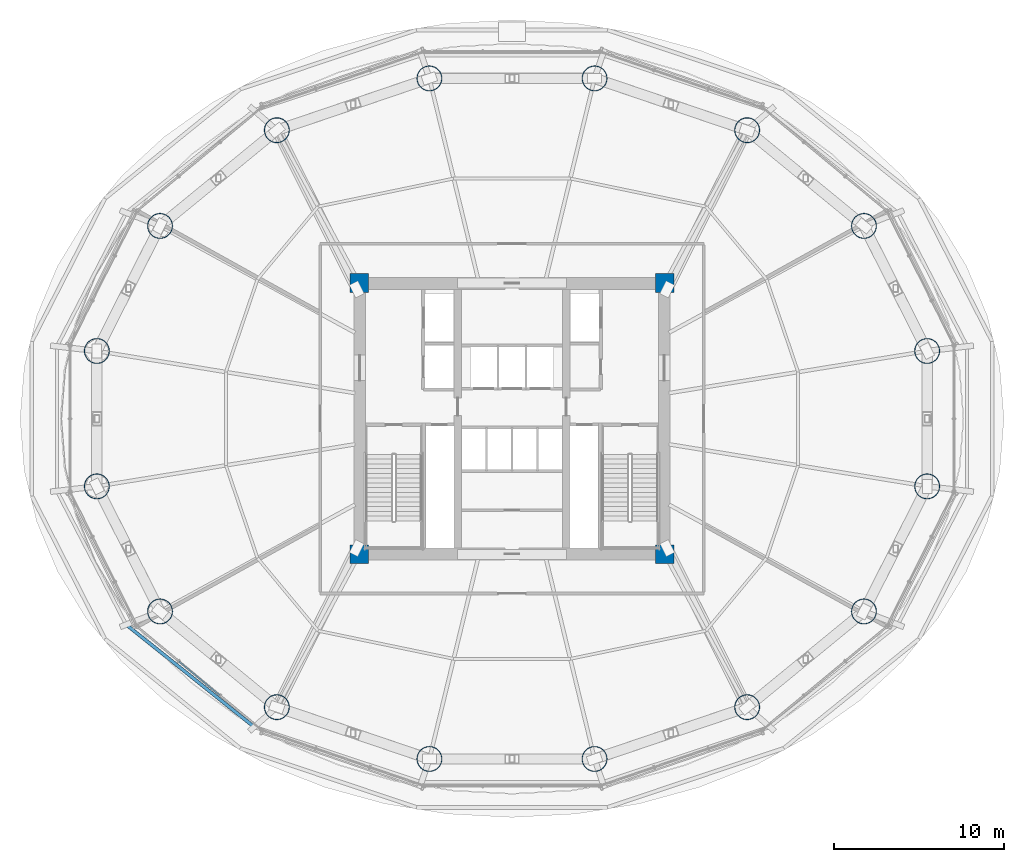
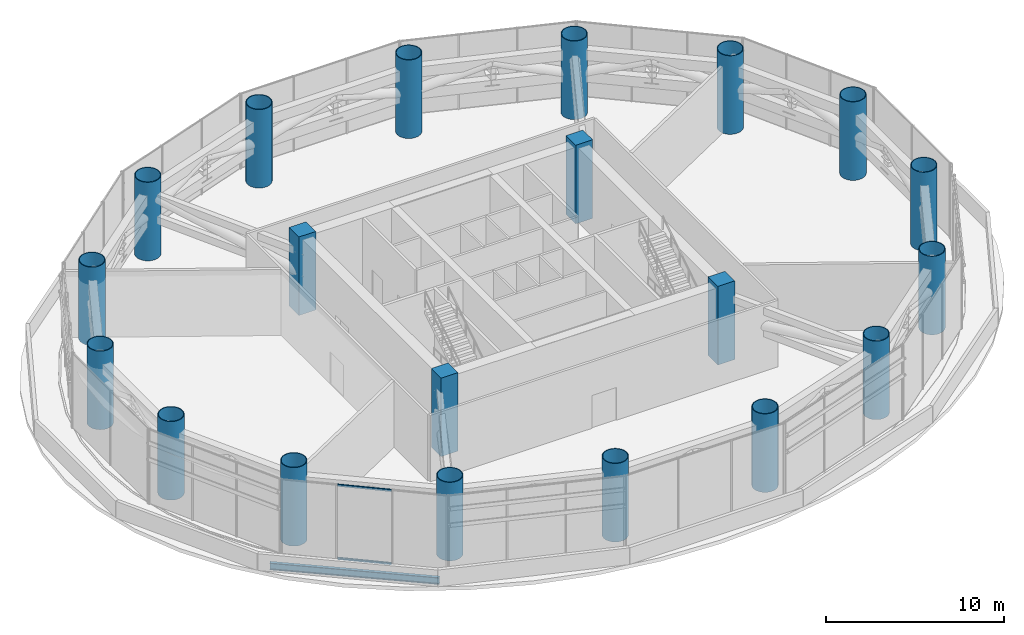
# One storey, part 1 of 33: 20 columns, 2 members, 1 beam, 1 element without a shape of its own.
"""IFC4 building model written with IfcOpenShell, lengths in metres."""

import ifcopenshell
import ifcopenshell.guid

model = None  # the IFC model being written
_history = None  # IfcOwnerHistory: only IFC2X3 demands one
_inside = {}  # id of a spatial element -> (the spatial element, [elements in it])
_under = {}  # id of a project, library or spatial element -> (it, [spatial elements below it])
_declared = {}  # id of a project -> (the project, [libraries it declares])
_typed = {}  # id of a type object -> (the type object, [elements of that type])
_made_of = {}  # id of a material, layer set ... -> (it, [elements and type objects made of it])


def new_model(schema):
    """Start an empty IFC model of exactly this schema.

    Asked for "IFC4X3", IfcOpenShell would pick the latest addendum, in which some entities
    have other attributes; the version numbers below select the first issue.
    IFC2X3 requires an IfcOwnerHistory on every rooted entity: one is made here for all.
    """
    global model, _history
    if schema == "IFC4X3":
        model = ifcopenshell.file(schema_version=(4, 3, 0, 0))
    else:
        model = ifcopenshell.file(schema=schema)
    _inside.clear()
    _under.clear()
    _declared.clear()
    _typed.clear()
    _made_of.clear()
    _history = None
    if model.schema == "IFC2X3":
        org = make("IfcOrganization", Name="unknown")
        user = make(
            "IfcPersonAndOrganization",
            ThePerson=make("IfcPerson", FamilyName="unknown"),
            TheOrganization=org,
        )
        app = make(
            "IfcApplication",
            ApplicationDeveloper=org,
            Version="unknown",
            ApplicationFullName="unknown",
            ApplicationIdentifier="unknown",
        )
        _history = make(
            "IfcOwnerHistory",
            OwningUser=user,
            OwningApplication=app,
            ChangeAction="ADDED",
            CreationDate=0,
        )
    return model


def make(cls, **values):
    """One entity of the class cls with the attributes given. An attribute that is None is left unset."""
    return model.create_entity(
        cls, **{name: value for name, value in values.items() if value is not None}
    )


def rooted(cls, **values):
    """An entity with a GlobalId (a new one), such as an element, a storey or a relation."""
    return make(cls, GlobalId=ifcopenshell.guid.new(), OwnerHistory=_history, **values)


def si_unit(unit_type, name, prefix=None):
    """IfcSIUnit, for example si_unit("LENGTHUNIT", "METRE", prefix="MILLI")."""
    return make("IfcSIUnit", UnitType=unit_type, Prefix=prefix, Name=name)


def assignment(units):
    """IfcUnitAssignment: the units of a project."""
    return None if units is None else make("IfcUnitAssignment", Units=units)


def point(xyz):
    """IfcCartesianPoint."""
    return None if xyz is None else make("IfcCartesianPoint", Coordinates=xyz)


def direction(xyz):
    """IfcDirection."""
    return None if xyz is None else make("IfcDirection", DirectionRatios=xyz)


def frame(location, z_axis=None, x_axis=None):
    """IfcAxis2Placement3D, a coordinate frame: its origin and axes. An axis left out is left unset."""
    return make(
        "IfcAxis2Placement3D",
        Location=point(location),
        Axis=direction(z_axis),
        RefDirection=direction(x_axis),
    )


def frame_2d(location, x_axis=None):
    """IfcAxis2Placement2D, a coordinate frame in the plane: its origin and x axis."""
    return make(
        "IfcAxis2Placement2D", Location=point(location), RefDirection=direction(x_axis)
    )


def origin():
    """The frame at (0, 0, 0) with its axes left unset."""
    return frame((0.0, 0.0, 0.0))


def origin_2d():
    """The frame at (0, 0) in the plane with its x axis left unset."""
    return frame_2d((0.0, 0.0))


def place(relative_to, where):
    """IfcLocalPlacement: puts the frame where relative to a parent placement (None: the world)."""
    return make(
        "IfcLocalPlacement", PlacementRelTo=relative_to, RelativePlacement=where
    )


def context(
    kind, dimensions, precision=None, world=None, true_north=None, identifier=None
):
    """IfcGeometricRepresentationContext, for example the 3D "Model" context."""
    return make(
        "IfcGeometricRepresentationContext",
        ContextIdentifier=identifier,
        ContextType=kind,
        CoordinateSpaceDimension=dimensions,
        Precision=precision,
        WorldCoordinateSystem=world,
        TrueNorth=true_north,
    )


def subcontext(parent, identifier, kind, view, scale=None):
    """IfcGeometricRepresentationSubContext, for example "Body" below "Model"."""
    return make(
        "IfcGeometricRepresentationSubContext",
        ContextIdentifier=identifier,
        ContextType=kind,
        ParentContext=parent,
        TargetScale=scale,
        TargetView=view,
    )


def project(units=None, contexts=None):
    """IfcProject with its units and contexts."""
    return rooted(
        "IfcProject",
        Name="project",
        RepresentationContexts=contexts,
        UnitsInContext=assignment(units),
    )


def spatial(cls, under=None, at=None, **own):
    """A site, building, storey or space (cls), placed at a placement, below another one or the project."""
    s = rooted(cls, ObjectPlacement=at, **own)
    if under is not None:
        _under.setdefault(under.id(), (under, []))[1].append(s)
    return s


def profile(cls, at=None, kind="AREA", **sizes):
    """A parametric profile (cls). Its sizes go by their IFC names, for example OverallWidth=200.0."""
    return make(cls, ProfileType=kind, Position=at, **sizes)


def rectangle(**sizes):
    """IfcRectangleProfileDef."""
    return profile("IfcRectangleProfileDef", **sizes)


def hollow_rectangle(**sizes):
    """IfcRectangleHollowProfileDef."""
    return profile("IfcRectangleHollowProfileDef", **sizes)


def hollow_circle(**sizes):
    """IfcCircleHollowProfileDef."""
    return profile("IfcCircleHollowProfileDef", **sizes)


def i_section(**sizes):
    """IfcIShapeProfileDef."""
    return profile("IfcIShapeProfileDef", **sizes)


def extrude(swept, where, along, depth):
    """IfcExtrudedAreaSolid: the profile swept, set in the frame where, extruded along a direction by depth."""
    return make(
        "IfcExtrudedAreaSolid",
        SweptArea=swept,
        Position=where,
        ExtrudedDirection=direction(along),
        Depth=depth,
    )


def shape(context_of_items, identifier, shape_type, items):
    """IfcShapeRepresentation: the items that make up one representation, for example the "Body"."""
    return make(
        "IfcShapeRepresentation",
        ContextOfItems=context_of_items,
        RepresentationIdentifier=identifier,
        RepresentationType=shape_type,
        Items=items,
    )


def source(mapping_origin, context_of_items, identifier, shape_type, items):
    """IfcRepresentationMap: a shape defined once, which mapped items show again and again."""
    return make(
        "IfcRepresentationMap",
        MappingOrigin=mapping_origin,
        MappedRepresentation=shape(context_of_items, identifier, shape_type, items),
    )


def transform(
    local_origin,
    x_axis=None,
    y_axis=None,
    z_axis=None,
    scale=None,
    scale2=None,
    scale3=None,
    uniform=True,
):
    """IfcCartesianTransformationOperator3D, or its non-uniform kind. x_axis, y_axis, z_axis: its Axis1, 2, 3."""
    if uniform:
        return make(
            "IfcCartesianTransformationOperator3D",
            Axis1=direction(x_axis),
            Axis2=direction(y_axis),
            LocalOrigin=point(local_origin),
            Scale=scale,
            Axis3=direction(z_axis),
        )
    return make(
        "IfcCartesianTransformationOperator3DnonUniform",
        Axis1=direction(x_axis),
        Axis2=direction(y_axis),
        LocalOrigin=point(local_origin),
        Scale=scale,
        Axis3=direction(z_axis),
        Scale2=scale2,
        Scale3=scale3,
    )


def mapped(mapping_source, mapping_target):
    """IfcMappedItem: shows the shape of a source again, moved by a transform."""
    return make(
        "IfcMappedItem", MappingSource=mapping_source, MappingTarget=mapping_target
    )


def material(Name=None, Category=None):
    """IfcMaterial."""
    return make("IfcMaterial", Name=Name, Category=Category)


def material_profile(
    of_material, cross_section, Name=None, Category=None, Priority=None
):
    """IfcMaterialProfile: a cross section and its material."""
    return make(
        "IfcMaterialProfile",
        Name=Name,
        Material=of_material,
        Profile=cross_section,
        Priority=Priority,
        Category=Category,
    )


def profile_set(profiles, Name=None, composite=None):
    """IfcMaterialProfileSet."""
    return make(
        "IfcMaterialProfileSet",
        Name=Name,
        MaterialProfiles=profiles,
        CompositeProfile=composite,
    )


def made_of(thing, what):
    """Note that an element or type object is made of a material, layer set ...; save() writes the relation."""
    if what is not None:
        _made_of.setdefault(what.id(), (what, []))[1].append(thing)
    return thing


def type_object(cls, material=None, **own):
    """A type object (cls), such as IfcWallType, which elements share."""
    return made_of(rooted(cls, **own), material)


def element(
    cls,
    number,
    at=None,
    inside=None,
    cuts=None,
    type_object=None,
    material=None,
    context=None,
    identifier="Body",
    shape_type=None,
    held_by="IfcProductDefinitionShape",
    body=None,
    shapes=None,
    **own,
):
    """One element of the class cls, such as IfcWall. Its Tag is "e" and its number.

    at: its placement. inside: the storey or other place that contains it. cuts: it is an
    opening in that element (IfcRelVoidsElement). A single representation is given by context,
    identifier, shape_type and body (its items); several are given by shapes. held_by: the class
    of the entity that holds the representations. save() writes the other relations.
    """
    e = rooted(cls, Tag="e%d" % number, ObjectPlacement=at, **own)
    if body is not None:
        shapes = [shape(context, identifier, shape_type, body)]
    if shapes is not None:
        e.Representation = make(held_by, Representations=shapes)
    if inside is not None:
        _inside.setdefault(inside.id(), (inside, []))[1].append(e)
    if cuts is not None:
        rooted(
            "IfcRelVoidsElement", RelatingBuildingElement=cuts, RelatedOpeningElement=e
        )
    if type_object is not None:
        _typed.setdefault(type_object.id(), (type_object, []))[1].append(e)
    return made_of(e, material)


def aggregate(whole, parts):
    """IfcRelAggregates: a whole, such as a stair, and the parts it consists of."""
    return rooted("IfcRelAggregates", RelatingObject=whole, RelatedObjects=parts)


def save(model, path):
    """Write the relations noted so far, then the file.

    IfcRelAggregates (storeys below a building ...), IfcRelContainedInSpatialStructure (elements
    in a storey), IfcRelDefinesByType, IfcRelAssociatesMaterial and IfcRelDeclares: one each for
    every whole, place, type object, material and project.
    """
    for whole, parts in _under.values():
        aggregate(whole, parts)
    for where, things in _inside.values():
        rooted(
            "IfcRelContainedInSpatialStructure",
            RelatedElements=things,
            RelatingStructure=where,
        )
    for kind, things in _typed.values():
        rooted("IfcRelDefinesByType", RelatedObjects=things, RelatingType=kind)
    for what, things in _made_of.values():
        rooted("IfcRelAssociatesMaterial", RelatedObjects=things, RelatingMaterial=what)
    for by, libraries in _declared.values():
        rooted("IfcRelDeclares", RelatingContext=by, RelatedDefinitions=libraries)
    model.write(path)


model = new_model("IFC4")

# Units and contexts
model_context = context("Model", 3, precision=1e-05, world=origin(), true_north=direction((-0.2419218956, 0.970295726276)))
body_context = subcontext(model_context, "Body", "Model", "MODEL_VIEW")
ifc_project = project(units=[si_unit("LENGTHUNIT", "METRE"), si_unit("AREAUNIT", "SQUARE_METRE"), si_unit("VOLUMEUNIT", "CUBIC_METRE"), si_unit("PLANEANGLEUNIT", "RADIAN"), si_unit("MASSUNIT", "GRAM", prefix="KILO")], contexts=[model_context])

# Site, building, storey
site_placement = place(None, origin())
site = spatial("IfcSite", under=ifc_project, at=site_placement, CompositionType="ELEMENT")
building_placement = place(site_placement, origin())
building = spatial("IfcBuilding", under=site, at=building_placement, Name="Cobrevalo Terracotta Tower", CompositionType="ELEMENT")
storey_placement = place(building_placement, frame((0.0, 0.0, 74.39990234375)))
storey = spatial("IfcBuildingStorey", under=building, at=storey_placement, Name="L19", CompositionType="ELEMENT", Elevation=74.39990234375)

# Columns
ifc_material_1 = material(Name="Steel S355", Category="steel")
ifc_material_profile_1 = material_profile(ifc_material_1, hollow_circle(Radius=0.75, WallThickness=0.044921875, at=origin_2d()), Name="CHS 1500x45")
ifc_profile_set_1 = profile_set([ifc_material_profile_1], Name="Steel S355")
column_type_1 = type_object("IfcColumnType", Name="Structural Column CHS 1500x45 (Steel S355)", PredefinedType="COLUMN", material=ifc_profile_set_1)
for number, where, z_axis, x_axis, name in (
    (1, (62.470703125, 30.78955078125, 0.0), (0.0, 0.0, 1.0), (1.0, 0.0, 0.0), "L19 composite megacolumn MC01"),
    (2, (58.7451171875, 38.161376953125, 0.0), (0.0, 0.0, 1.0), (1.0, 0.0, 0.0), "L19 composite megacolumn MC02"),
    (3, (51.861572265625, 43.803466796875, 0.0), (0.0, 0.0, 1.0), (1.0, 0.0, 0.0), "L19 composite megacolumn MC03"),
    (4, (42.867431640625, 46.857177734375, 0.0), (0.0, 0.0, 1.0), (1.0, 0.0, 0.0), "L19 composite megacolumn MC04"),
    (5, (33.132568359375, 46.857177734375, 0.0), (0.0, 0.0, 1.0), (1.0, 0.0, 0.0), "L19 composite megacolumn MC05"),
    (6, (24.138427734375, 43.803466796875, 0.0), (0.0, 0.0, 1.0), (1.0, 0.0, 0.0), "L19 composite megacolumn MC06"),
    (7, (17.2548828125, 38.161376953125, 0.0), (0.0, 0.0, 1.0), (1.0, 0.0, 0.0), "L19 composite megacolumn MC07"),
    (8, (13.529296875, 30.78955078125, 0.0), (0.0, 0.0, 1.0), (1.0, 0.0, 0.0), "L19 composite megacolumn MC08"),
    (9, (13.529296875, 22.810302734375, 0.0), (0.0, 0.0, 1.0), (1.0, 0.0, 0.0), "L19 composite megacolumn MC09"),
    (10, (17.2548828125, 15.4384765625, 0.0), (0.0, 0.0, 1.0), (1.0, 0.0, 0.0), "L19 composite megacolumn MC10"),
    (11, (24.138427734375, 9.79638671875, 0.0), (0.0, 0.0, 1.0), (1.0, 0.0, 0.0), "L19 composite megacolumn MC11"),
    (12, (33.132568359375, 6.742919921875, 0.0), (0.0, 0.0, 1.0), (1.0, 0.0, 0.0), "L19 composite megacolumn MC12"),
    (13, (42.867431640625, 6.742919921875, 0.0), (0.0, 0.0, 1.0), (1.0, 0.0, 0.0), "L19 composite megacolumn MC13"),
    (14, (51.861572265625, 9.79638671875, 0.0), (0.0, 0.0, 1.0), (1.0, 0.0, 0.0), "L19 composite megacolumn MC14"),
    (15, (58.7451171875, 15.4384765625, 0.0), (0.0, 0.0, 1.0), (1.0, 0.0, 0.0), "L19 composite megacolumn MC15"),
    (16, (62.470703125, 22.810302734375, 0.0), (0.0, 0.0, 1.0), (1.0, 0.0, 0.0), "L19 composite megacolumn MC16"),
):
    element("IfcColumn", number, at=place(storey_placement, frame(where, z_axis=z_axis, x_axis=x_axis)), inside=storey, type_object=column_type_1, Name=name, PredefinedType="COLUMN", context=body_context, shape_type="SweptSolid", body=[
        extrude(hollow_circle(Radius=0.75, WallThickness=0.044921875, at=origin_2d()), origin(), (0.0, 0.0, 1.0), 5.400146484375),
    ])
ifc_material_2 = material(Name="Concrete C60", Category="concrete")
ifc_material_profile_2 = material_profile(ifc_material_2, rectangle(XDim=1.10009765625, YDim=1.10009765625, at=origin_2d()), Name="RC COL 1100x1100")
ifc_profile_set_2 = profile_set([ifc_material_profile_2], Name="Concrete C60")
column_type_2 = type_object("IfcColumnType", Name="Structural Column RC COL 1100x1100 (Concrete C60)", PredefinedType="COLUMN", material=ifc_profile_set_2)
for number, where, z_axis, x_axis, name in (
    (17, (29.0, 18.800048828125, 0.0), (0.0, 0.0, 1.0), (1.0, 0.0, 0.0), "L19 core corner column CC1"),
    (18, (47.0, 18.800048828125, 0.0), (0.0, 0.0, 1.0), (1.0, 0.0, 0.0), "L19 core corner column CC2"),
    (19, (47.0, 34.800048828125, 0.0), (0.0, 0.0, 1.0), (1.0, 0.0, 0.0), "L19 core corner column CC3"),
    (20, (29.0, 34.800048828125, 0.0), (0.0, 0.0, 1.0), (1.0, 0.0, 0.0), "L19 core corner column CC4"),
):
    element("IfcColumn", number, at=place(storey_placement, frame(where, z_axis=z_axis, x_axis=x_axis)), inside=storey, type_object=column_type_2, Name=name, PredefinedType="COLUMN", context=body_context, shape_type="SweptSolid", body=[
        extrude(rectangle(XDim=1.10009765625, YDim=1.10009765625, at=origin_2d()), origin(), (0.0, 0.0, 1.0), 5.400146484375),
    ])

# Beam
ifc_material_profile_3 = material_profile(ifc_material_1, i_section(OverallWidth=0.194091796875, OverallDepth=0.468994140625, WebThickness=0.011474609375, FlangeThickness=0.0205078125, at=origin_2d()), Name="W 460x106")
ifc_profile_set_3 = profile_set([ifc_material_profile_3], Name="Steel S355")
beam_type = type_object("IfcBeamType", Name="Structural Spandrel W 460x106 (Steel S355)", PredefinedType="SPANDREL", material=ifc_profile_set_3)
beam_placement = place(storey_placement, frame((15.25927734375, 14.660888671875, -0.684326171875), z_axis=(0.781280479891, -0.62418011162, 0.0), x_axis=(0.62418011162, 0.781280479891, 0.0)))
element("IfcBeam", 21, at=beam_placement, inside=storey, type_object=beam_type, Name="L19 perimeter ring spandrel 10", PredefinedType="SPANDREL", context=body_context, shape_type="SweptSolid", body=[
    extrude(i_section(OverallWidth=0.194091796875, OverallDepth=0.468994140625, WebThickness=0.011474609375, FlangeThickness=0.0205078125, at=origin_2d()), origin(), (0.0, 0.0, 1.0), 9.658447265625),
])

# Curtain wall, members
ifc_material_3 = material(Name="Anodized aluminium", Category="aluminium")
curtain_wall_type = type_object("IfcCurtainWallType", Name="Belt-truss plant acoustic weather-louvre curtain wall CW-LV", PredefinedType="NOTDEFINED", material=ifc_material_3)
curtain_wall_placement = place(storey_placement, origin())
curtain_wall = element("IfcCurtainWall", 22, at=curtain_wall_placement, inside=storey, type_object=curtain_wall_type, Name="L19 curtain wall CW-LV-L19-S10", PredefinedType="NOTDEFINED")
ifc_material_profile_4 = material_profile(ifc_material_3, hollow_rectangle(XDim=0.074951171875, YDim=0.14990234375, WallThickness=0.00439453125, at=origin_2d()), Name="CWT 75x150")
ifc_profile_set_4 = profile_set([ifc_material_profile_4], Name="Anodized aluminium")
member_type = type_object("IfcMemberType", Name="Tower unitised aluminium transom 75x150", PredefinedType="USERDEFINED", material=ifc_profile_set_4)
shared_shape = source(origin(), body_context, "Body", "SweptSolid", [
    extrude(hollow_rectangle(XDim=0.074951171875, YDim=0.14990234375, WallThickness=0.00439453125, at=origin_2d()), origin(), (0.0, 0.0, 1.0), 3.0966796875),
])
member_1_placement = place(storey_placement, frame((18.382080078125, 12.4833984375, 0.050048828125), z_axis=(0.76922196912, -0.638981660318, 0.0), x_axis=(0.638981660318, 0.76922196912, 0.0)))
member_1 = element("IfcMember", 23, at=member_1_placement, type_object=member_type, Name="CW-LV-L19-S10 transom B02-T1", ObjectType="TRANSOM", PredefinedType="USERDEFINED", context=body_context, shape_type="MappedRepresentation", body=[
    mapped(shared_shape, transform((0.0, 0.0, 0.0), scale=1.0)),
])
member_2_placement = place(storey_placement, frame((18.382080078125, 12.4833984375, 5.0751953125), z_axis=(0.76922196912, -0.638981660318, 0.0), x_axis=(0.638981660318, 0.76922196912, 0.0)))
member_2 = element("IfcMember", 24, at=member_2_placement, type_object=member_type, Name="CW-LV-L19-S10 transom B02-T2", ObjectType="TRANSOM", PredefinedType="USERDEFINED", context=body_context, shape_type="MappedRepresentation", body=[
    mapped(shared_shape, transform((0.0, 0.0, 0.0), scale=1.0)),
])
aggregate(curtain_wall, [member_1, member_2])

save(model, "model.ifc")
